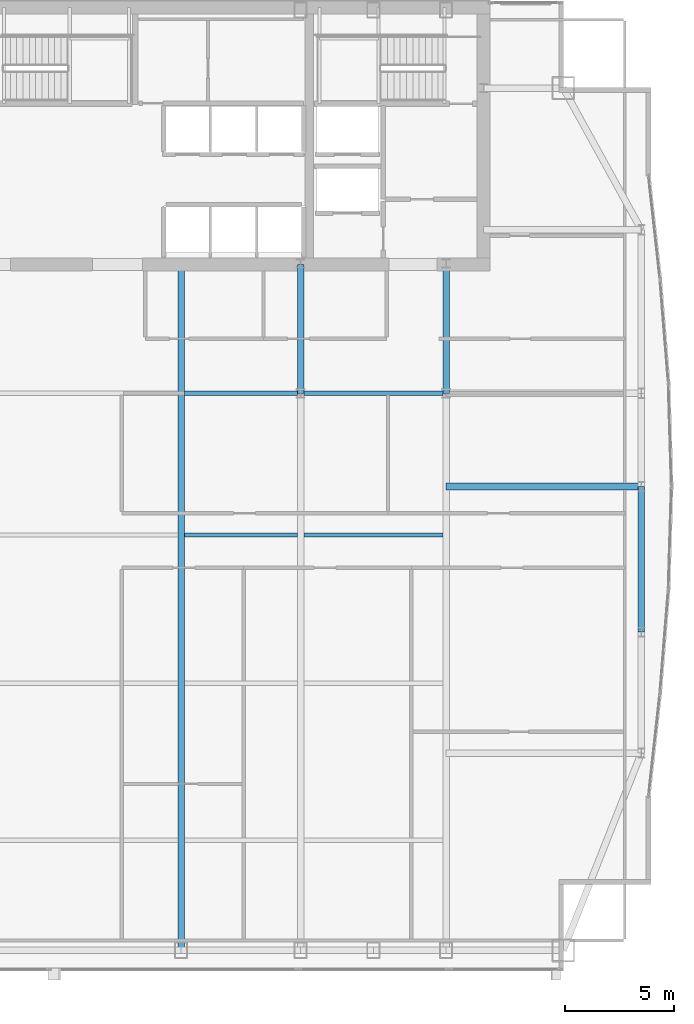
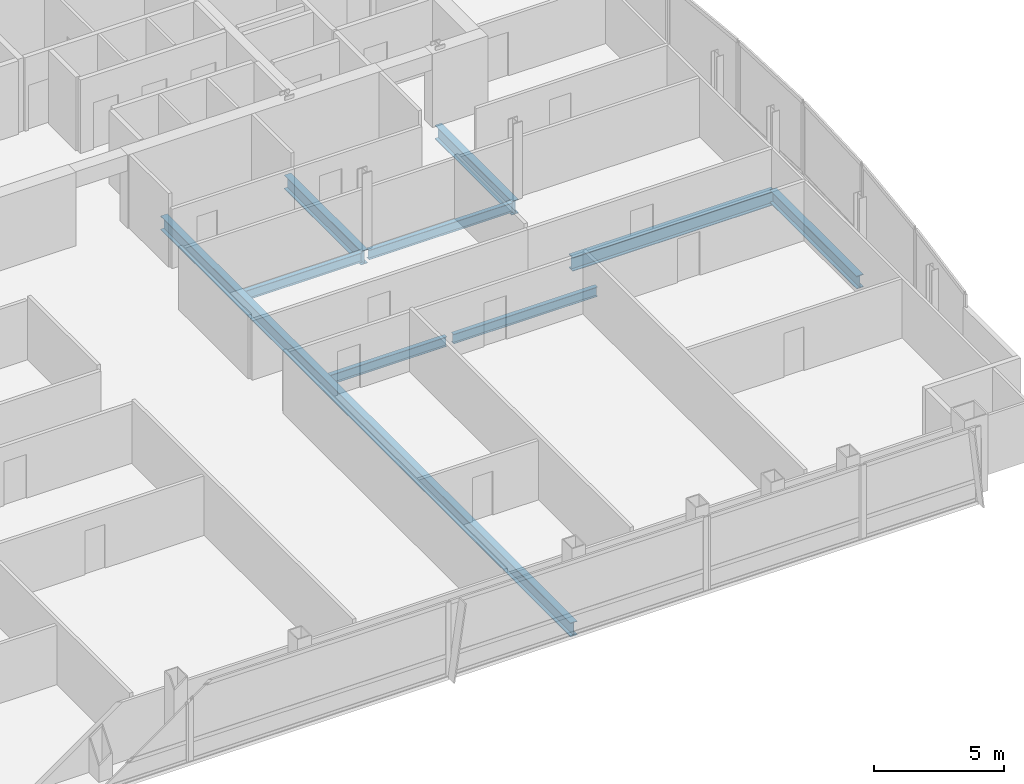
# One storey, part 17 of 29: 9 beams.
"""IFC4 building model written with IfcOpenShell, lengths in metres."""

from ifc_helpers import new_model, si_unit, direction, frame, origin, origin_2d, place, context, subcontext, project, spatial, i_section, extrude, material, material_profile, profile_set, type_object, element, save


model = new_model("IFC4")

# Units and contexts
model_context = context("Model", 3, precision=1e-05, world=origin(), true_north=direction((0.0, 1.0)))
body_context = subcontext(model_context, "Body", "Model", "MODEL_VIEW")
ifc_project = project(units=[si_unit("LENGTHUNIT", "METRE"), si_unit("AREAUNIT", "SQUARE_METRE"), si_unit("VOLUMEUNIT", "CUBIC_METRE"), si_unit("PLANEANGLEUNIT", "RADIAN"), si_unit("MASSUNIT", "GRAM", prefix="KILO")], contexts=[model_context])

# Site, building, storey
site_placement = place(None, origin())
site = spatial("IfcSite", under=ifc_project, at=site_placement, CompositionType="ELEMENT")
building_placement = place(site_placement, origin())
building = spatial("IfcBuilding", under=site, at=building_placement, Name="Khoronbel Lancet Exchange", CompositionType="ELEMENT")
storey_placement = place(building_placement, frame((0.0, 0.0, 242.60009765625)))
storey = spatial("IfcBuildingStorey", under=building, at=storey_placement, Name="L62", CompositionType="ELEMENT", Elevation=242.60009765625)

# Beams
ifc_material = material(Name="Steel S355", Category="steel")
ifc_material_profile_1 = material_profile(ifc_material, i_section(OverallWidth=0.300048828125, OverallDepth=0.64990234375, WebThickness=0.01611328125, FlangeThickness=0.031005859375, at=origin_2d()), Name="HEB 650")
ifc_profile_set_1 = profile_set([ifc_material_profile_1], Name="Steel S355")
beam_type_1 = type_object("IfcBeamType", Name="BM-BG4", PredefinedType="BEAM", material=ifc_profile_set_1)
beam_1_placement = place(storey_placement, frame((42.52490234375, 10.14990234375, -0.485107421875), z_axis=(0.0, 1.0, 0.0), x_axis=(-1.0, 0.0, 0.0)))
element("IfcBeam", 1, at=beam_1_placement, inside=storey, type_object=beam_type_1, Name="Level L62 primary floor girder G4", PredefinedType="BEAM", context=body_context, shape_type="SweptSolid", body=[
    extrude(i_section(OverallWidth=0.300048828125, OverallDepth=0.64990234375, WebThickness=0.01611328125, FlangeThickness=0.031005859375, at=origin_2d()), origin(), (0.0, 0.0, 1.0), 31.4501953125),
])
for number, where, z_axis, x_axis, name in (
    (2, (48.0, 35.699951171875, -0.485107421875), (0.0, 1.0, 0.0), (-1.0, 0.0, 0.0), "Level L62 spine tie girder GN5"),
    (3, (54.675048828125, 35.699951171875, -0.485107421875), (0.0, 1.0, 0.0), (-1.0, 0.0, 0.0), "Level L62 spine tie girder GN6"),
):
    element("IfcBeam", number, at=place(storey_placement, frame(where, z_axis=z_axis, x_axis=x_axis)), inside=storey, type_object=beam_type_1, Name=name, PredefinedType="BEAM", context=body_context, shape_type="SweptSolid", body=[
        extrude(i_section(OverallWidth=0.300048828125, OverallDepth=0.64990234375, WebThickness=0.01611328125, FlangeThickness=0.031005859375, at=origin_2d()), origin(), (0.0, 0.0, 1.0), 5.900146484375),
    ])
beam_2_placement = place(storey_placement, frame((54.675048828125, 31.425048828125, -0.485107421875), z_axis=(1.0, 0.0, 0.0), x_axis=(0.0, 1.0, 0.0)))
element("IfcBeam", 4, at=beam_2_placement, inside=storey, type_object=beam_type_1, Name="Level L62 east lens tie girder LG2E", PredefinedType="BEAM", context=body_context, shape_type="SweptSolid", body=[
    extrude(i_section(OverallWidth=0.300048828125, OverallDepth=0.64990234375, WebThickness=0.01611328125, FlangeThickness=0.031005859375, at=origin_2d()), origin(), (0.0, 0.0, 1.0), 8.954833984375),
])
ifc_material_profile_2 = material_profile(ifc_material, i_section(OverallWidth=0.18994140625, OverallDepth=0.449951171875, WebThickness=0.009521484375, FlangeThickness=0.0146484375, at=origin_2d()), Name="IPE 450")
ifc_profile_set_2 = profile_set([ifc_material_profile_2], Name="Steel S355")
beam_type_2 = type_object("IfcBeamType", Name="BM-BJ4", PredefinedType="JOIST", material=ifc_profile_set_2)
beam_3_placement = place(storey_placement, frame((42.675048828125, 29.199951171875, -0.385009765625), z_axis=(1.0, 0.0, 0.0), x_axis=(0.0, 1.0, 0.0)))
element("IfcBeam", 5, at=beam_3_placement, inside=storey, type_object=beam_type_2, Name="Level L62 secondary composite joist J14", PredefinedType="JOIST", context=body_context, shape_type="SweptSolid", body=[
    extrude(i_section(OverallWidth=0.18994140625, OverallDepth=0.449951171875, WebThickness=0.009521484375, FlangeThickness=0.0146484375, at=origin_2d()), origin(), (0.0, 0.0, 1.0), 5.175048828125),
])
beam_4_placement = place(storey_placement, frame((48.14990234375, 29.199951171875, -0.385009765625), z_axis=(1.0, 0.0, 0.0), x_axis=(0.0, 1.0, 0.0)))
element("IfcBeam", 6, at=beam_4_placement, inside=storey, type_object=beam_type_2, Name="Level L62 secondary composite joist J15", PredefinedType="JOIST", context=body_context, shape_type="SweptSolid", body=[
    extrude(i_section(OverallWidth=0.18994140625, OverallDepth=0.449951171875, WebThickness=0.009521484375, FlangeThickness=0.0146484375, at=origin_2d()), origin(), (0.0, 0.0, 1.0), 6.375),
])
beam_5_placement = place(storey_placement, frame((42.675048828125, 35.699951171875, -0.385009765625), z_axis=(1.0, 0.0, 0.0), x_axis=(0.0, 1.0, 0.0)))
element("IfcBeam", 7, at=beam_5_placement, inside=storey, type_object=beam_type_2, Name="Level L62 secondary composite joist J19", PredefinedType="JOIST", context=body_context, shape_type="SweptSolid", body=[
    extrude(i_section(OverallWidth=0.18994140625, OverallDepth=0.449951171875, WebThickness=0.009521484375, FlangeThickness=0.0146484375, at=origin_2d()), origin(), (0.0, 0.0, 1.0), 5.175048828125),
])
beam_6_placement = place(storey_placement, frame((48.14990234375, 35.699951171875, -0.385009765625), z_axis=(1.0, 0.0, 0.0), x_axis=(0.0, 1.0, 0.0)))
element("IfcBeam", 8, at=beam_6_placement, inside=storey, type_object=beam_type_2, Name="Level L62 secondary composite joist J20", PredefinedType="JOIST", context=body_context, shape_type="SweptSolid", body=[
    extrude(i_section(OverallWidth=0.18994140625, OverallDepth=0.449951171875, WebThickness=0.009521484375, FlangeThickness=0.0146484375, at=origin_2d()), origin(), (0.0, 0.0, 1.0), 6.375),
])
ifc_material_profile_3 = material_profile(ifc_material, i_section(OverallWidth=0.300048828125, OverallDepth=0.60009765625, WebThickness=0.015380859375, FlangeThickness=0.030029296875, at=origin_2d()), Name="HEB 600")
ifc_profile_set_3 = profile_set([ifc_material_profile_3], Name="Steel S355")
beam_type_3 = type_object("IfcBeamType", Name="BM-BSP2", PredefinedType="SPANDREL", material=ifc_profile_set_3)
beam_7_placement = place(storey_placement, frame((63.6298828125, 24.75, -0.460205078125), z_axis=(0.0, 1.0, 0.0), x_axis=(-1.0, 0.0, 0.0)))
element("IfcBeam", 9, at=beam_7_placement, inside=storey, type_object=beam_type_3, Name="Level L62 perimeter spandrel beam SP12", PredefinedType="SPANDREL", context=body_context, shape_type="SweptSolid", body=[
    extrude(i_section(OverallWidth=0.300048828125, OverallDepth=0.60009765625, WebThickness=0.015380859375, FlangeThickness=0.030029296875, at=origin_2d()), origin(), (0.0, 0.0, 1.0), 6.675048828125),
])

save(model, "model.ifc")
